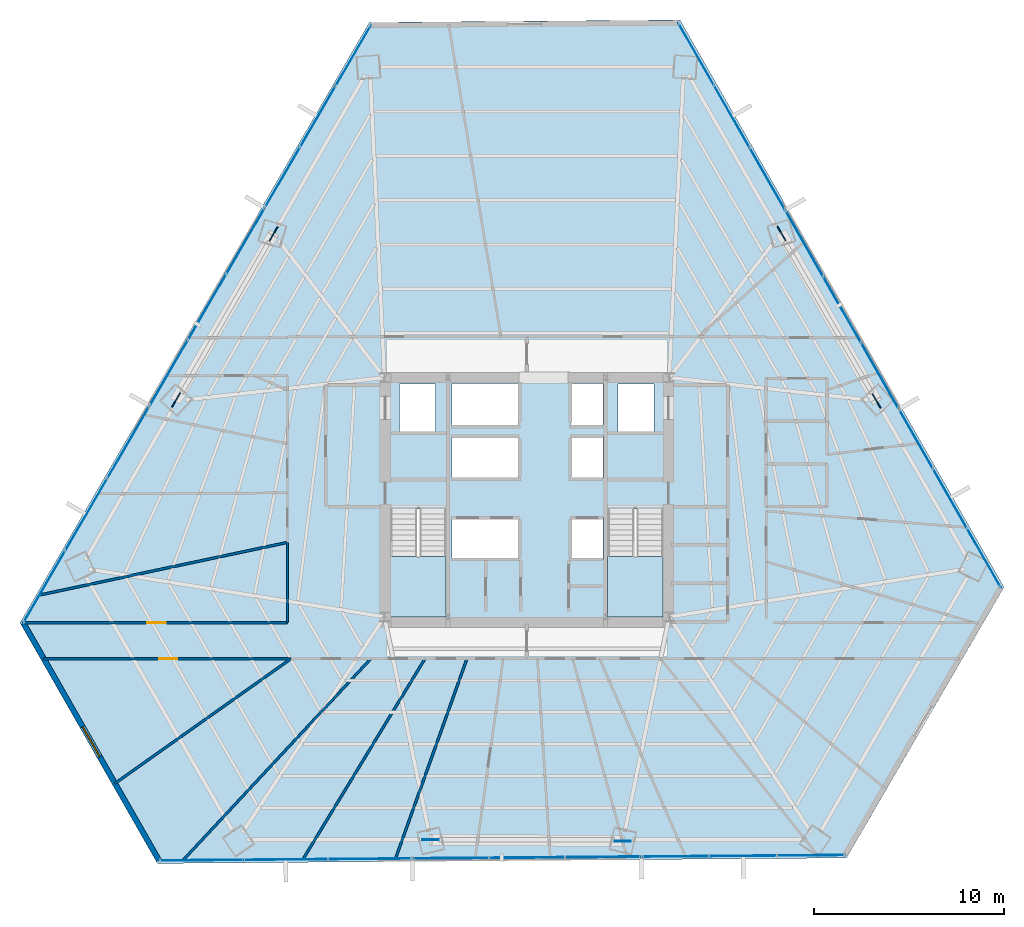
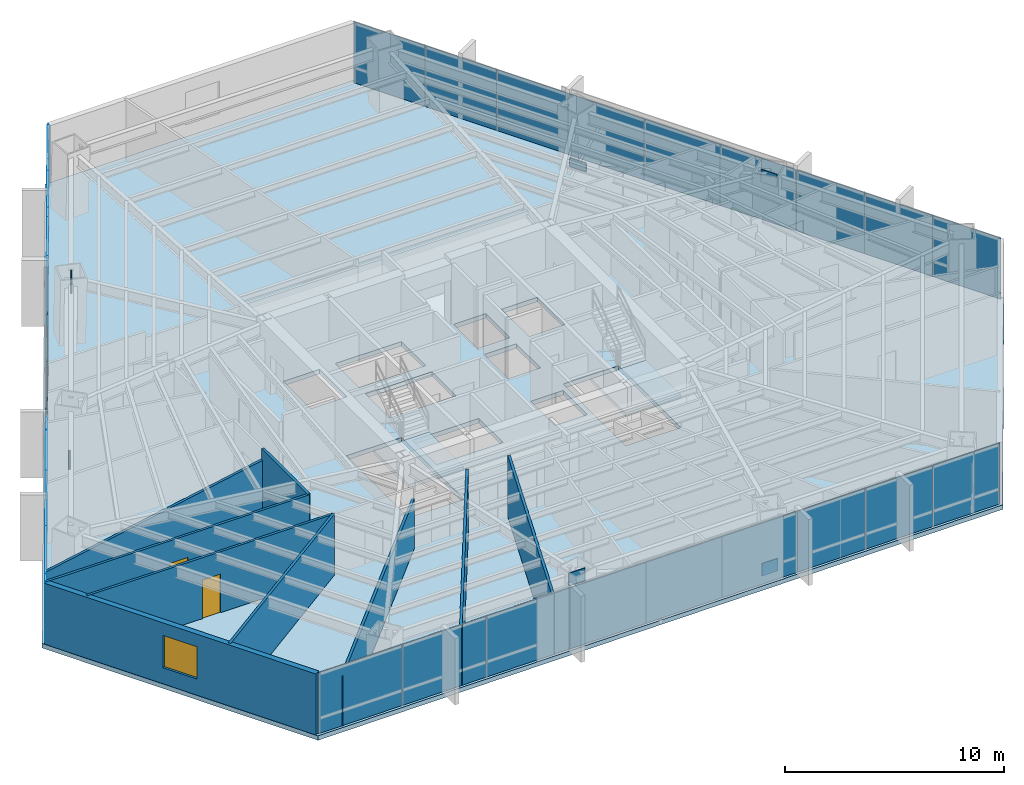
# One storey, part 31 of 38: 33 plates, 9 walls, 3 slabs, 2 doors, 1 window, 3 openings, 11 elements without a shape of their own.
"""IFC4 building model written with IfcOpenShell, lengths in metres."""

from ifc_helpers import new_model, si_unit, direction, frame, frame_2d, origin, origin_2d, place, context, subcontext, project, spatial, polyline, rectangle, outline, extrude, source, transform, mapped, material, layer, layer_set, type_object, type_shapes, element, fill, aggregate, save


model = new_model("IFC4")

# Units and contexts
model_context = context("Model", 3, precision=1e-05, world=origin(), true_north=direction((0.0, 1.0)))
body_context = subcontext(model_context, "Body", "Model", "MODEL_VIEW")
ifc_project = project(units=[si_unit("LENGTHUNIT", "METRE"), si_unit("AREAUNIT", "SQUARE_METRE"), si_unit("VOLUMEUNIT", "CUBIC_METRE"), si_unit("PLANEANGLEUNIT", "RADIAN"), si_unit("MASSUNIT", "GRAM", prefix="KILO")], contexts=[model_context])

# Site, building, storey
site_placement = place(None, origin())
site = spatial("IfcSite", under=ifc_project, at=site_placement, CompositionType="ELEMENT")
building_placement = place(site_placement, origin())
building = spatial("IfcBuilding", under=site, at=building_placement, Name="Caelisora Broadcast Tower", CompositionType="ELEMENT")
storey_placement = place(building_placement, frame((0.0, 0.0, 67.75)))
storey = spatial("IfcBuildingStorey", under=building, at=storey_placement, Name="L17", CompositionType="ELEMENT", Elevation=67.75)

# Slab
ifc_material_1 = material(Name="Concrete 40 MPa (AS 3600 N40)", Category="concrete")
ifc_layer_1 = layer(ifc_material_1, 0.25, Name="Concrete 40 MPa (AS 3600 N40)")
ifc_layer_set_1 = layer_set([ifc_layer_1], Name="Concrete 40 MPa (AS 3600 N40)")
slab_type_1 = type_object("IfcSlabType", Name="SL04", PredefinedType="FLOOR", material=ifc_layer_set_1)
slab_1_placement = place(storey_placement, frame((0.0, 0.0, -0.25)))
element("IfcSlab", 1, at=slab_1_placement, inside=storey, type_object=slab_type_1, Name="L17 suspended floor SL04", PredefinedType="FLOOR", context=body_context, shape_type="SweptSolid", body=[
    extrude(outline(polyline([(46.06591796875, 48.826904296875), (29.70703125, 48.696044921875), (11.31396484375, 17.0830078125), (18.549072265625, 4.4150390625), (54.8330078125, 4.7060546875), (63.1259765625, 18.9580078125), (46.06591796875, 48.826904296875)]), holes=[polyline([(30.820068359375, 17.39990234375), (33.739990234375, 17.39990234375), (33.739990234375, 23.080078125), (30.820068359375, 23.080078125), (30.820068359375, 17.39990234375)]), polyline([(42.260009765625, 17.39990234375), (45.179931640625, 17.39990234375), (45.179931640625, 23.080078125), (42.260009765625, 23.080078125), (42.260009765625, 17.39990234375)]), polyline([(42.800048828125, 27.14990234375), (44.699951171875, 27.14990234375), (44.699951171875, 29.64990234375), (42.800048828125, 29.64990234375), (42.800048828125, 27.14990234375)]), polyline([(40.300048828125, 20.429931640625), (42.0, 20.429931640625), (42.0, 22.6298828125), (40.300048828125, 22.6298828125), (40.300048828125, 20.429931640625)]), polyline([(40.300048828125, 24.719970703125), (42.0, 24.719970703125), (42.0, 26.919921875), (40.300048828125, 26.919921875), (40.300048828125, 24.719970703125)]), polyline([(40.300048828125, 27.5), (42.0, 27.5), (42.0, 29.699951171875), (40.300048828125, 29.699951171875), (40.300048828125, 27.5)]), polyline([(34.050048828125, 20.429931640625), (37.550048828125, 20.429931640625), (37.550048828125, 22.6298828125), (34.050048828125, 22.6298828125), (34.050048828125, 20.429931640625)]), polyline([(34.050048828125, 24.719970703125), (37.550048828125, 24.719970703125), (37.550048828125, 26.919921875), (34.050048828125, 26.919921875), (34.050048828125, 24.719970703125)]), polyline([(34.050048828125, 27.5), (37.550048828125, 27.5), (37.550048828125, 29.699951171875), (34.050048828125, 29.699951171875), (34.050048828125, 27.5)]), polyline([(31.300048828125, 27.14990234375), (33.199951171875, 27.14990234375), (33.199951171875, 29.64990234375), (31.300048828125, 29.64990234375), (31.300048828125, 27.14990234375)])]), origin(), (0.0, 0.0, 1.0), 0.25),
])

# Stair, slab
stair_type_1 = type_object("IfcStairType", Name="ST-1", PredefinedType="HALF_TURN_STAIR", material=ifc_material_1)
stair_1_placement = place(storey_placement, origin())
stair_1 = element("IfcStair", 2, at=stair_1_placement, inside=storey, type_object=stair_type_1, Name="L17 West Fire-Isolated Tower Stair", PredefinedType="HALF_TURN_STAIR")
ifc_layer_2 = layer(ifc_material_1, 0.199951171875, Name="Concrete 40 MPa (AS 3600 N40)")
ifc_layer_set_2 = layer_set([ifc_layer_2], Name="Concrete 40 MPa (AS 3600 N40)")
slab_type_2 = type_object("IfcSlabType", Name="STL-1", PredefinedType="LANDING", material=ifc_layer_set_2)
slab_2_placement = place(storey_placement, frame((0.0, 0.0, 1.625)))
slab_2 = element("IfcSlab", 3, at=slab_2_placement, type_object=slab_type_2, Name="ST-1 landing 1", PredefinedType="LANDING", context=body_context, shape_type="SweptSolid", body=[
    extrude(outline(polyline([(30.820068359375, 20.580078125), (30.820068359375, 17.39990234375), (33.739990234375, 17.39990234375), (33.739990234375, 20.580078125), (30.820068359375, 20.580078125)])), origin(), (0.0, 0.0, 1.0), 0.199951171875),
])
aggregate(stair_1, [slab_2])

stair_type_2 = type_object("IfcStairType", Name="ST-2", PredefinedType="HALF_TURN_STAIR", material=ifc_material_1)
stair_2_placement = place(storey_placement, origin())
stair_2 = element("IfcStair", 4, at=stair_2_placement, inside=storey, type_object=stair_type_2, Name="L17 East Fire-Isolated Tower Stair", PredefinedType="HALF_TURN_STAIR")
slab_3_placement = place(storey_placement, frame((0.0, 0.0, 1.625)))
slab_3 = element("IfcSlab", 5, at=slab_3_placement, type_object=slab_type_2, Name="ST-2 landing 1", PredefinedType="LANDING", context=body_context, shape_type="SweptSolid", body=[
    extrude(outline(polyline([(42.260009765625, 20.580078125), (42.260009765625, 17.39990234375), (45.179931640625, 17.39990234375), (45.179931640625, 20.580078125), (42.260009765625, 20.580078125)])), origin(), (0.0, 0.0, 1.0), 0.199951171875),
])
aggregate(stair_2, [slab_3])

# Plates
ifc_material_2 = material(Name="Steel Grade 350 L15 (AS/NZS 3678)", Category="steel")
ifc_layer_3 = layer(ifc_material_2, 0.050048828125, Name="Steel Grade 350 L15 (AS/NZS 3678)")
ifc_layer_set_3 = layer_set([ifc_layer_3], Name="Steel Grade 350 L15 (AS/NZS 3678)")
plate_type_1 = type_object("IfcPlateType", Name="GP03", PredefinedType="USERDEFINED", material=ifc_layer_set_3)
shared_shape_1 = source(origin(), body_context, "Body", "SweptSolid", [
    extrude(rectangle(XDim=0.85009765625, YDim=0.050048828125, at=origin_2d()), origin(), (0.0, 0.0, 1.0), 0.699951171875),
])
type_shapes(plate_type_1, [shared_shape_1])
for number, where, z_axis, x_axis, name in (
    (6, (24.66064453125, 37.560546875, 2.72998046875), (0.0, 0.0, 1.0), (-0.5, -0.866025403784, 0.0), "L17 gusset plate GP03 (ND-L17-C02T)"),
    (7, (19.5322265625, 28.822265625, -0.22998046875), (0.0, 0.0, 1.0), (-0.5, -0.866025403784, 0.0), "L17 gusset plate GP03 (ND-L17-C03B)"),
    (8, (32.92578125, 5.66748046875, 2.72998046875), (0.0, 0.0, 1.0), (1.0, 0.0, 0.0), "L17 gusset plate GP03 (ND-L17-C06T)"),
    (9, (43.0576171875, 5.59521484375, -0.22998046875), (0.0, 0.0, 1.0), (1.0, 0.0, 0.0), "L17 gusset plate GP03 (ND-L17-C07B)"),
    (10, (56.413330078125, 28.77197265625, 2.72998046875), (0.0, 0.0, 1.0), (-0.5, 0.866025403784, 0.0), "L17 gusset plate GP03 (ND-L17-C10T)"),
    (11, (51.41015625, 37.58251953125, -0.22998046875), (0.0, 0.0, 1.0), (-0.5, 0.866025403784, 0.0), "L17 gusset plate GP03 (ND-L17-C11B)"),
):
    element("IfcPlate", number, at=place(storey_placement, frame(where, z_axis=z_axis, x_axis=x_axis)), inside=storey, type_object=plate_type_1, Name=name, ObjectType="GUSSET PLATE", PredefinedType="USERDEFINED", context=body_context, shape_type="MappedRepresentation", body=[
        mapped(shared_shape_1, transform((0.0, 0.0, 0.0), scale=1.0)),
    ])

# Curtain wall, plates
ifc_material_3 = material(Name="Unitised Aluminium and Low-E Glass Curtain Wall", Category="glass")
curtain_wall_type_1 = type_object("IfcCurtainWallType", Name="CW-Z1", PredefinedType="NOTDEFINED", material=ifc_material_3)
curtain_wall_1_placement = place(storey_placement, origin())
curtain_wall_1 = element("IfcCurtainWall", 12, at=curtain_wall_1_placement, inside=storey, type_object=curtain_wall_type_1, Name="L17 curtain wall CW-Z1", PredefinedType="NOTDEFINED")
ifc_material_4 = material(Name="Double Glazed Low-E Argon IGU", Category="glass")
ifc_layer_4 = layer(ifc_material_4, 0.035888671875, Name="Double Glazed Low-E Argon IGU")
ifc_layer_set_4 = layer_set([ifc_layer_4], Name="Double Glazed Low-E Argon IGU")
plate_type_2 = type_object("IfcPlateType", Name="CWP-02", PredefinedType="CURTAIN_PANEL", material=ifc_layer_set_4)
shared_shape_2 = source(origin(), body_context, "Body", "SweptSolid", [
    extrude(rectangle(XDim=3.7822265625, YDim=0.035888671875, at=origin_2d()), origin(), (0.0, 0.0, 1.0), 3.39990234375),
])
plate_1_placement = place(storey_placement, frame((46.9169921875, 47.033935546875, 0.0), z_axis=(0.0, 0.0, 1.0), x_axis=(0.495913414893, -0.868371973828, 0.0)))
plate_1 = element("IfcPlate", 13, at=plate_1_placement, type_object=plate_type_2, Name="L17-CW-B01 glazed panel #1", PredefinedType="CURTAIN_PANEL", context=body_context, shape_type="MappedRepresentation", body=[
    mapped(shared_shape_2, transform((0.0, 0.0, 0.0), scale=1.0)),
])
plate_2_placement = place(storey_placement, frame((48.792724609375, 43.749755859375, 0.0), z_axis=(0.0, 0.0, 1.0), x_axis=(0.495913414893, -0.868371973828, 0.0)))
plate_2 = element("IfcPlate", 14, at=plate_2_placement, type_object=plate_type_2, Name="L17-CW-B01 glazed panel #2", PredefinedType="CURTAIN_PANEL", context=body_context, shape_type="MappedRepresentation", body=[
    mapped(shared_shape_2, transform((0.0, 0.0, 0.0), scale=1.0)),
])
plate_3_placement = place(storey_placement, frame((50.668701171875, 40.465576171875, 0.0), z_axis=(0.0, 0.0, 1.0), x_axis=(0.495913414893, -0.868371973828, 0.0)))
plate_3 = element("IfcPlate", 15, at=plate_3_placement, type_object=plate_type_2, Name="L17-CW-B01 glazed panel #3", PredefinedType="CURTAIN_PANEL", context=body_context, shape_type="MappedRepresentation", body=[
    mapped(shared_shape_2, transform((0.0, 0.0, 0.0), scale=1.0)),
])
aggregate(curtain_wall_1, [plate_1, plate_2, plate_3])

ifc_material_5 = material(Name="Unitised Aluminium Insulated Shadow-Box Spandrel Curtain Wall", Category="aluminium")
curtain_wall_type_2 = type_object("IfcCurtainWallType", Name="CW-SP1", PredefinedType="NOTDEFINED", material=ifc_material_5)
curtain_wall_2_placement = place(storey_placement, origin())
curtain_wall_2 = element("IfcCurtainWall", 16, at=curtain_wall_2_placement, inside=storey, type_object=curtain_wall_type_2, Name="L17 curtain wall CW-SP1", PredefinedType="NOTDEFINED")
ifc_material_6 = material(Name="Insulated Terracotta Shadow-Box Spandrel Panel", Category="aluminium")
ifc_layer_5 = layer(ifc_material_6, 0.0439453125, Name="Insulated Terracotta Shadow-Box Spandrel Panel")
ifc_layer_set_5 = layer_set([ifc_layer_5], Name="Insulated Terracotta Shadow-Box Spandrel Panel")
plate_type_3 = type_object("IfcPlateType", Name="CWP-10", PredefinedType="CURTAIN_PANEL", material=ifc_layer_set_5)
shared_shape_3 = source(origin(), body_context, "Body", "SweptSolid", [
    extrude(rectangle(XDim=4.018310546875, YDim=0.0439453125, at=origin_2d()), origin(), (0.0, 0.0, 1.0), 3.39990234375),
])
type_shapes(plate_type_3, [shared_shape_3])
plate_4_placement = place(storey_placement, frame((52.608154296875, 37.070068359375, 0.0), z_axis=(0.0, 0.0, 1.0), x_axis=(0.495913414893, -0.868371973828, 0.0)))
plate_4 = element("IfcPlate", 17, at=plate_4_placement, type_object=plate_type_3, Name="L17-CW-B02 spandrel panel #1", PredefinedType="CURTAIN_PANEL", context=body_context, shape_type="MappedRepresentation", body=[
    mapped(shared_shape_3, transform((0.0, 0.0, 0.0), scale=1.0)),
])
plate_5_placement = place(storey_placement, frame((54.601318359375, 33.580810546875, 0.0), z_axis=(0.0, 0.0, 1.0), x_axis=(0.495913414893, -0.868371973828, 0.0)))
plate_5 = element("IfcPlate", 18, at=plate_5_placement, type_object=plate_type_3, Name="L17-CW-B02 spandrel panel #2", PredefinedType="CURTAIN_PANEL", context=body_context, shape_type="MappedRepresentation", body=[
    mapped(shared_shape_3, transform((0.0, 0.0, 0.0), scale=1.0)),
])
plate_6_placement = place(storey_placement, frame((56.59423828125, 30.09130859375, 0.0), z_axis=(0.0, 0.0, 1.0), x_axis=(0.495913414893, -0.868371973828, 0.0)))
plate_6 = element("IfcPlate", 19, at=plate_6_placement, type_object=plate_type_3, Name="L17-CW-B02 spandrel panel #3", PredefinedType="CURTAIN_PANEL", context=body_context, shape_type="MappedRepresentation", body=[
    mapped(shared_shape_3, transform((0.0, 0.0, 0.0), scale=1.0)),
])
aggregate(curtain_wall_2, [plate_4, plate_5, plate_6])

curtain_wall_3_placement = place(storey_placement, origin())
curtain_wall_3 = element("IfcCurtainWall", 20, at=curtain_wall_3_placement, inside=storey, type_object=curtain_wall_type_2, Name="L17 curtain wall CW-SP1", PredefinedType="NOTDEFINED")
plate_7_placement = place(storey_placement, frame((42.025146484375, 4.753173828125, 0.0), z_axis=(0.0, 0.0, 1.0), x_axis=(-0.99996777165, -0.00802842831, 0.0)))
plate_7 = element("IfcPlate", 21, at=plate_7_placement, type_object=plate_type_3, Name="L17-CW-B06 spandrel panel #1", PredefinedType="CURTAIN_PANEL", context=body_context, shape_type="MappedRepresentation", body=[
    mapped(shared_shape_3, transform((0.0, 0.0, 0.0), scale=1.0)),
])
plate_8_placement = place(storey_placement, frame((38.007080078125, 4.720947265625, 0.0), z_axis=(0.0, 0.0, 1.0), x_axis=(-0.99996777165, -0.00802842831, 0.0)))
plate_8 = element("IfcPlate", 22, at=plate_8_placement, type_object=plate_type_3, Name="L17-CW-B06 spandrel panel #2", PredefinedType="CURTAIN_PANEL", context=body_context, shape_type="MappedRepresentation", body=[
    mapped(shared_shape_3, transform((0.0, 0.0, 0.0), scale=1.0)),
])
plate_9_placement = place(storey_placement, frame((33.98876953125, 4.68896484375, 0.0), z_axis=(0.0, 0.0, 1.0), x_axis=(-0.99996777165, -0.00802842831, 0.0)))
plate_9 = element("IfcPlate", 23, at=plate_9_placement, type_object=plate_type_3, Name="L17-CW-B06 spandrel panel #3", PredefinedType="CURTAIN_PANEL", context=body_context, shape_type="MappedRepresentation", body=[
    mapped(shared_shape_3, transform((0.0, 0.0, 0.0), scale=1.0)),
])
aggregate(curtain_wall_3, [plate_7, plate_8, plate_9])

curtain_wall_4_placement = place(storey_placement, origin())
curtain_wall_4 = element("IfcCurtainWall", 24, at=curtain_wall_4_placement, inside=storey, type_object=curtain_wall_type_2, Name="L17 curtain wall CW-SP1", PredefinedType="NOTDEFINED")
plate_10_placement = place(storey_placement, frame((19.1474609375, 30.248291015625, 0.0), z_axis=(0.0, 0.0, 1.0), x_axis=(0.50286909456, 0.864362582332, 0.0)))
plate_10 = element("IfcPlate", 25, at=plate_10_placement, type_object=plate_type_3, Name="L17-CW-B10 spandrel panel #1", PredefinedType="CURTAIN_PANEL", context=body_context, shape_type="MappedRepresentation", body=[
    mapped(shared_shape_3, transform((0.0, 0.0, 0.0), scale=1.0)),
])
plate_11_placement = place(storey_placement, frame((21.16845703125, 33.7216796875, 0.0), z_axis=(0.0, 0.0, 1.0), x_axis=(0.50286909456, 0.864362582332, 0.0)))
plate_11 = element("IfcPlate", 26, at=plate_11_placement, type_object=plate_type_3, Name="L17-CW-B10 spandrel panel #2", PredefinedType="CURTAIN_PANEL", context=body_context, shape_type="MappedRepresentation", body=[
    mapped(shared_shape_3, transform((0.0, 0.0, 0.0), scale=1.0)),
])
plate_12_placement = place(storey_placement, frame((23.189208984375, 37.195068359375, 0.0), z_axis=(0.0, 0.0, 1.0), x_axis=(0.50286909456, 0.864362582332, 0.0)))
plate_12 = element("IfcPlate", 27, at=plate_12_placement, type_object=plate_type_3, Name="L17-CW-B10 spandrel panel #3", PredefinedType="CURTAIN_PANEL", context=body_context, shape_type="MappedRepresentation", body=[
    mapped(shared_shape_3, transform((0.0, 0.0, 0.0), scale=1.0)),
])
aggregate(curtain_wall_4, [plate_10, plate_11, plate_12])

curtain_wall_5_placement = place(storey_placement, origin())
curtain_wall_5 = element("IfcCurtainWall", 28, at=curtain_wall_5_placement, inside=storey, type_object=curtain_wall_type_1, Name="L17 curtain wall CW-Z1", PredefinedType="NOTDEFINED")
shared_shape_4 = source(origin(), body_context, "Body", "SweptSolid", [
    extrude(rectangle(XDim=3.600341796875, YDim=0.035888671875, at=origin_2d()), origin(), (0.0, 0.0, 1.0), 3.39990234375),
])
plate_13_placement = place(storey_placement, frame((58.48876953125, 26.77490234375, 0.0), z_axis=(0.0, 0.0, 1.0), x_axis=(0.495913414893, -0.868371973828, 0.0)))
plate_13 = element("IfcPlate", 29, at=plate_13_placement, type_object=plate_type_2, Name="L17-CW-B03 glazed panel #1", PredefinedType="CURTAIN_PANEL", context=body_context, shape_type="MappedRepresentation", body=[
    mapped(shared_shape_4, transform((0.0, 0.0, 0.0), scale=1.0)),
])
plate_14_placement = place(storey_placement, frame((60.2744140625, 23.6484375, 0.0), z_axis=(0.0, 0.0, 1.0), x_axis=(0.495913414893, -0.868371973828, 0.0)))
plate_14 = element("IfcPlate", 30, at=plate_14_placement, type_object=plate_type_2, Name="L17-CW-B03 glazed panel #2", PredefinedType="CURTAIN_PANEL", context=body_context, shape_type="MappedRepresentation", body=[
    mapped(shared_shape_4, transform((0.0, 0.0, 0.0), scale=1.0)),
])
plate_15_placement = place(storey_placement, frame((62.06005859375, 20.522216796875, 0.0), z_axis=(0.0, 0.0, 1.0), x_axis=(0.495913414893, -0.868371973828, 0.0)))
plate_15 = element("IfcPlate", 31, at=plate_15_placement, type_object=plate_type_2, Name="L17-CW-B03 glazed panel #3", PredefinedType="CURTAIN_PANEL", context=body_context, shape_type="MappedRepresentation", body=[
    mapped(shared_shape_4, transform((0.0, 0.0, 0.0), scale=1.0)),
])
aggregate(curtain_wall_5, [plate_13, plate_14, plate_15])

curtain_wall_6_placement = place(storey_placement, origin())
curtain_wall_6 = element("IfcCurtainWall", 32, at=curtain_wall_6_placement, inside=storey, type_object=curtain_wall_type_1, Name="L17 curtain wall CW-Z1", PredefinedType="NOTDEFINED")
shared_shape_5 = source(origin(), body_context, "Body", "SweptSolid", [
    extrude(rectangle(XDim=3.5673828125, YDim=0.035888671875, at=origin_2d()), origin(), (0.0, 0.0, 1.0), 3.39990234375),
])
plate_16_placement = place(storey_placement, frame((52.96240234375, 4.8408203125, 0.0), z_axis=(0.0, 0.0, 1.0), x_axis=(-0.99996777165, -0.00802842831, 0.0)))
plate_16 = element("IfcPlate", 33, at=plate_16_placement, type_object=plate_type_2, Name="L17-CW-B05 glazed panel #1", PredefinedType="CURTAIN_PANEL", context=body_context, shape_type="MappedRepresentation", body=[
    mapped(shared_shape_5, transform((0.0, 0.0, 0.0), scale=1.0)),
])
plate_17_placement = place(storey_placement, frame((49.395263671875, 4.812255859375, 0.0), z_axis=(0.0, 0.0, 1.0), x_axis=(-0.99996777165, -0.00802842831, 0.0)))
plate_17 = element("IfcPlate", 34, at=plate_17_placement, type_object=plate_type_2, Name="L17-CW-B05 glazed panel #2", PredefinedType="CURTAIN_PANEL", context=body_context, shape_type="MappedRepresentation", body=[
    mapped(shared_shape_5, transform((0.0, 0.0, 0.0), scale=1.0)),
])
plate_18_placement = place(storey_placement, frame((45.827880859375, 4.78369140625, 0.0), z_axis=(0.0, 0.0, 1.0), x_axis=(-0.99996777165, -0.00802842831, 0.0)))
plate_18 = element("IfcPlate", 35, at=plate_18_placement, type_object=plate_type_2, Name="L17-CW-B05 glazed panel #3", PredefinedType="CURTAIN_PANEL", context=body_context, shape_type="MappedRepresentation", body=[
    mapped(shared_shape_5, transform((0.0, 0.0, 0.0), scale=1.0)),
])
aggregate(curtain_wall_6, [plate_16, plate_17, plate_18])

curtain_wall_7_placement = place(storey_placement, origin())
curtain_wall_7 = element("IfcCurtainWall", 36, at=curtain_wall_7_placement, inside=storey, type_object=curtain_wall_type_1, Name="L17 curtain wall CW-Z1", PredefinedType="NOTDEFINED")
shared_shape_6 = source(origin(), body_context, "Body", "SweptSolid", [
    extrude(rectangle(XDim=4.444580078125, YDim=0.035888671875, at=origin_2d()), origin(), (0.0, 0.0, 1.0), 3.39990234375),
])
plate_19_placement = place(storey_placement, frame((29.747314453125, 4.65478515625, 0.0), z_axis=(0.0, 0.0, 1.0), x_axis=(-0.99996777165, -0.00802842831, 0.0)))
plate_19 = element("IfcPlate", 37, at=plate_19_placement, type_object=plate_type_2, Name="L17-CW-B07 glazed panel #1", PredefinedType="CURTAIN_PANEL", context=body_context, shape_type="MappedRepresentation", body=[
    mapped(shared_shape_6, transform((0.0, 0.0, 0.0), scale=1.0)),
])
plate_20_placement = place(storey_placement, frame((25.302734375, 4.619384765625, 0.0), z_axis=(0.0, 0.0, 1.0), x_axis=(-0.99996777165, -0.00802842831, 0.0)))
plate_20 = element("IfcPlate", 38, at=plate_20_placement, type_object=plate_type_2, Name="L17-CW-B07 glazed panel #2", PredefinedType="CURTAIN_PANEL", context=body_context, shape_type="MappedRepresentation", body=[
    mapped(shared_shape_6, transform((0.0, 0.0, 0.0), scale=1.0)),
])
plate_21_placement = place(storey_placement, frame((20.8583984375, 4.583740234375, 0.0), z_axis=(0.0, 0.0, 1.0), x_axis=(-0.99996777165, -0.00802842831, 0.0)))
plate_21 = element("IfcPlate", 39, at=plate_21_placement, type_object=plate_type_2, Name="L17-CW-B07 glazed panel #3", PredefinedType="CURTAIN_PANEL", context=body_context, shape_type="MappedRepresentation", body=[
    mapped(shared_shape_6, transform((0.0, 0.0, 0.0), scale=1.0)),
])
aggregate(curtain_wall_7, [plate_19, plate_20, plate_21])

curtain_wall_8_placement = place(storey_placement, origin())
curtain_wall_8 = element("IfcCurtainWall", 40, at=curtain_wall_8_placement, inside=storey, type_object=curtain_wall_type_1, Name="L17 curtain wall CW-Z1", PredefinedType="NOTDEFINED")
shared_shape_7 = source(origin(), body_context, "Body", "SweptSolid", [
    extrude(rectangle(XDim=4.404541015625, YDim=0.035888671875, at=origin_2d()), origin(), (0.0, 0.0, 1.0), 3.39990234375),
])
plate_22_placement = place(storey_placement, frame((12.594482421875, 18.985595703125, 0.0), z_axis=(0.0, 0.0, 1.0), x_axis=(0.50286909456, 0.864362582332, 0.0)))
plate_22 = element("IfcPlate", 41, at=plate_22_placement, type_object=plate_type_2, Name="L17-CW-B09 glazed panel #1", PredefinedType="CURTAIN_PANEL", context=body_context, shape_type="MappedRepresentation", body=[
    mapped(shared_shape_7, transform((0.0, 0.0, 0.0), scale=1.0)),
])
plate_23_placement = place(storey_placement, frame((14.8095703125, 22.79248046875, 0.0), z_axis=(0.0, 0.0, 1.0), x_axis=(0.50286909456, 0.864362582332, 0.0)))
plate_23 = element("IfcPlate", 42, at=plate_23_placement, type_object=plate_type_2, Name="L17-CW-B09 glazed panel #2", PredefinedType="CURTAIN_PANEL", context=body_context, shape_type="MappedRepresentation", body=[
    mapped(shared_shape_7, transform((0.0, 0.0, 0.0), scale=1.0)),
])
plate_24_placement = place(storey_placement, frame((17.0244140625, 26.599609375, 0.0), z_axis=(0.0, 0.0, 1.0), x_axis=(0.50286909456, 0.864362582332, 0.0)))
plate_24 = element("IfcPlate", 43, at=plate_24_placement, type_object=plate_type_2, Name="L17-CW-B09 glazed panel #3", PredefinedType="CURTAIN_PANEL", context=body_context, shape_type="MappedRepresentation", body=[
    mapped(shared_shape_7, transform((0.0, 0.0, 0.0), scale=1.0)),
])
aggregate(curtain_wall_8, [plate_22, plate_23, plate_24])

curtain_wall_9_placement = place(storey_placement, origin())
curtain_wall_9 = element("IfcCurtainWall", 44, at=curtain_wall_9_placement, inside=storey, type_object=curtain_wall_type_1, Name="L17 curtain wall CW-Z1", PredefinedType="NOTDEFINED")
shared_shape_8 = source(origin(), body_context, "Body", "SweptSolid", [
    extrude(rectangle(XDim=3.704833984375, YDim=0.035888671875, at=origin_2d()), origin(), (0.0, 0.0, 1.0), 3.39990234375),
])
type_shapes(plate_type_2, [shared_shape_2, shared_shape_4, shared_shape_5, shared_shape_6, shared_shape_7, shared_shape_8])
plate_25_placement = place(storey_placement, frame((25.13623046875, 40.54150390625, 0.0), z_axis=(0.0, 0.0, 1.0), x_axis=(0.50286909456, 0.864362582332, 0.0)))
plate_25 = element("IfcPlate", 45, at=plate_25_placement, type_object=plate_type_2, Name="L17-CW-B11 glazed panel #1", PredefinedType="CURTAIN_PANEL", context=body_context, shape_type="MappedRepresentation", body=[
    mapped(shared_shape_8, transform((0.0, 0.0, 0.0), scale=1.0)),
])
plate_26_placement = place(storey_placement, frame((26.999267578125, 43.74365234375, 0.0), z_axis=(0.0, 0.0, 1.0), x_axis=(0.50286909456, 0.864362582332, 0.0)))
plate_26 = element("IfcPlate", 46, at=plate_26_placement, type_object=plate_type_2, Name="L17-CW-B11 glazed panel #2", PredefinedType="CURTAIN_PANEL", context=body_context, shape_type="MappedRepresentation", body=[
    mapped(shared_shape_8, transform((0.0, 0.0, 0.0), scale=1.0)),
])
plate_27_placement = place(storey_placement, frame((28.8623046875, 46.94580078125, 0.0), z_axis=(0.0, 0.0, 1.0), x_axis=(0.50286909456, 0.864362582332, 0.0)))
plate_27 = element("IfcPlate", 47, at=plate_27_placement, type_object=plate_type_2, Name="L17-CW-B11 glazed panel #3", PredefinedType="CURTAIN_PANEL", context=body_context, shape_type="MappedRepresentation", body=[
    mapped(shared_shape_8, transform((0.0, 0.0, 0.0), scale=1.0)),
])
aggregate(curtain_wall_9, [plate_25, plate_26, plate_27])

# Wall, opening, window
ifc_material_7 = material(Name="Insulated Terracotta Spandrel Wall System", Category="masonry")
ifc_layer_6 = layer(ifc_material_7, 0.280029296875, Name="Insulated Terracotta Spandrel Wall System")
ifc_layer_set_6 = layer_set([ifc_layer_6], Name="Insulated Terracotta Spandrel Wall System")
wall_type_1 = type_object("IfcWallType", Name="EW1", PredefinedType="STANDARD", material=ifc_layer_set_6)
wall_1_placement = place(storey_placement, frame((18.62109375, 4.592041015625, 0.0), z_axis=(0.0, 0.0, 1.0), x_axis=(-0.49597773835, 0.868335236565, 0.0)))
wall_1 = element("IfcWall", 48, at=wall_1_placement, inside=storey, type_object=wall_type_1, Name="L17 exterior envelope wall EW1", PredefinedType="STANDARD", context=body_context, shape_type="SweptSolid", body=[
    extrude(rectangle(XDim=14.353759765625, YDim=0.280029296875, at=frame_2d((7.1767578125, 0.0))), origin(), (0.0, 0.0, 1.0), 3.39990234375),
])
opening_1_placement = place(wall_1_placement, frame((6.280029296875, 0.0, 0.89990234375)))
opening_1 = element("IfcOpeningElement", 49, at=opening_1_placement, cuts=wall_1, Name="Opening W01", PredefinedType="OPENING", context=body_context, shape_type="SweptSolid", body=[
    extrude(rectangle(XDim=1.800048828125, YDim=1.800048828125, at=frame_2d((0.89990234375, 0.89990234375))), frame((0.0, 0.152099609375, 0.0), z_axis=(0.0, -1.0, 0.0), x_axis=(1.0, 0.0, 0.0)), (0.0, 0.0, 1.0), 0.303955078125),
])
ifc_material_8 = material(Name="Double Glazed Terracotta-Framed Vision Window", Category="glass")
window_type = type_object("IfcWindowType", Name="W01", PartitioningType="SINGLE_PANEL", PredefinedType="WINDOW", material=ifc_material_8)
window_placement = place(opening_1_placement, origin())
window = element("IfcWindow", 50, at=window_placement, inside=storey, type_object=window_type, Name="L17 window W01 (L17-WN-CH4)", OverallHeight=1.800048828125, OverallWidth=1.800048828125, PartitioningType="SINGLE_PANEL", PredefinedType="WINDOW", context=body_context, shape_type="SweptSolid", body=[
    extrude(rectangle(XDim=1.800048828125, YDim=1.800048828125, at=frame_2d((0.89990234375, 0.89990234375))), frame((0.0, 0.030029296875, 0.0), z_axis=(0.0, -1.0, 0.0), x_axis=(1.0, 0.0, 0.0)), (0.0, 0.0, 1.0), 0.06005859375),
])
fill(opening_1, window)

# Wall
ifc_material_9 = material(Name="Acoustic Steel-Stud Plasterboard Partition", Category="gypsum")
ifc_layer_7 = layer(ifc_material_9, 0.1298828125, Name="Acoustic Steel-Stud Plasterboard Partition")
ifc_layer_set_7 = layer_set([ifc_layer_7], Name="Acoustic Steel-Stud Plasterboard Partition")
wall_type_2 = type_object("IfcWallType", Name="PW3", PredefinedType="PARTITIONING", material=ifc_layer_set_7)
wall_2_placement = place(storey_placement, frame((19.8837890625, 4.57080078125, 0.0), z_axis=(0.0, 0.0, 1.0), x_axis=(0.681818628138, 0.73152126307, 0.0)))
element("IfcWall", 51, at=wall_2_placement, inside=storey, type_object=wall_type_2, Name="L17 internal partition PW3", PredefinedType="PARTITIONING", context=body_context, shape_type="SweptSolid", body=[
    extrude(rectangle(XDim=14.52490234375, YDim=0.1298828125, at=frame_2d((7.262451171875, 0.0))), origin(), (0.0, 0.0, 1.0), 2.78271484375),
])

# Wall, opening, door
wall_3_placement = place(storey_placement, frame((11.49169921875, 17.10009765625, 0.0), z_axis=(0.0, 0.0, 1.0), x_axis=(1.0, 0.0, 0.0)))
wall_3 = element("IfcWall", 52, at=wall_3_placement, inside=storey, type_object=wall_type_2, Name="L17 internal partition PW3", PredefinedType="PARTITIONING", context=body_context, shape_type="SweptSolid", body=[
    extrude(rectangle(XDim=13.9033203125, YDim=0.1298828125, at=frame_2d((6.95166015625, 0.0))), origin(), (0.0, 0.0, 1.0), 3.39990234375),
])
opening_2_placement = place(wall_3_placement, frame((6.527099609375, 0.0, 0.0)))
opening_2 = element("IfcOpeningElement", 53, at=opening_2_placement, cuts=wall_3, Name="Opening D01", PredefinedType="OPENING", context=body_context, shape_type="SweptSolid", body=[
    extrude(rectangle(XDim=0.9599609375, YDim=2.14990234375, at=frame_2d((0.47998046875, 1.074951171875))), frame((0.0, 0.076904296875, 0.0), z_axis=(0.0, -1.0, 0.0), x_axis=(1.0, 0.0, 0.0)), (0.0, 0.0, 1.0), 0.15380859375),
])
ifc_material_10 = material(Name="Solid-Core Timber Acoustic Office Door", Category="wood")
door_type = type_object("IfcDoorType", Name="D01", OperationType="NOTDEFINED", PredefinedType="DOOR", material=ifc_material_10)
door_1_placement = place(opening_2_placement, origin())
door_1 = element("IfcDoor", 54, at=door_1_placement, inside=storey, type_object=door_type, Name="L17 door D01 (L17-DR-P33D1)", OperationType="SINGLE_SWING_LEFT", OverallHeight=2.14990234375, OverallWidth=0.9599609375, PredefinedType="DOOR", context=body_context, shape_type="SweptSolid", body=[
    extrude(rectangle(XDim=0.9599609375, YDim=2.14990234375, at=frame_2d((0.47998046875, 1.074951171875))), frame((0.0, 0.02490234375, 0.0), z_axis=(0.0, -1.0, 0.0), x_axis=(1.0, 0.0, 0.0)), (0.0, 0.0, 1.0), 0.050048828125),
])
fill(opening_2, door_1)

# Wall
wall_4_placement = place(storey_placement, frame((12.3330078125, 18.546142578125, 0.0), z_axis=(0.0, 0.0, 1.0), x_axis=(0.978200372967, 0.207663261862, 0.0)))
element("IfcWall", 55, at=wall_4_placement, inside=storey, type_object=wall_type_2, Name="L17 internal partition PW3", PredefinedType="PARTITIONING", context=body_context, shape_type="SweptSolid", body=[
    extrude(rectangle(XDim=13.35302734375, YDim=0.1298828125, at=frame_2d((6.676513671875, 0.0))), origin(), (0.0, 0.0, 1.0), 2.78271484375),
])

# Wall, opening, door
wall_5_placement = place(storey_placement, frame((12.556396484375, 15.199951171875, 0.0), z_axis=(0.0, 0.0, 1.0), x_axis=(1.0, 0.0, 0.0)))
wall_5 = element("IfcWall", 56, at=wall_5_placement, inside=storey, type_object=wall_type_2, Name="L17 internal partition PW3", PredefinedType="PARTITIONING", context=body_context, shape_type="SweptSolid", body=[
    extrude(rectangle(XDim=13.028564453125, YDim=0.1298828125, at=frame_2d((6.51416015625, 0.0))), origin(), (0.0, 0.0, 1.0), 3.39990234375),
])
opening_3_placement = place(wall_5_placement, frame((6.087890625, 0.0, 0.0)))
opening_3 = element("IfcOpeningElement", 57, at=opening_3_placement, cuts=wall_5, Name="Opening D01", PredefinedType="OPENING", context=body_context, shape_type="SweptSolid", body=[
    extrude(rectangle(XDim=0.9599609375, YDim=2.14990234375, at=frame_2d((0.47998046875, 1.074951171875))), frame((0.0, 0.076904296875, 0.0), z_axis=(0.0, -1.0, 0.0), x_axis=(1.0, 0.0, 0.0)), (0.0, 0.0, 1.0), 0.15380859375),
])
door_2_placement = place(opening_3_placement, origin())
door_2 = element("IfcDoor", 58, at=door_2_placement, inside=storey, type_object=door_type, Name="L17 door D01 (L17-DR-P36D1)", OperationType="SINGLE_SWING_RIGHT", OverallHeight=2.14990234375, OverallWidth=0.9599609375, PredefinedType="DOOR", context=body_context, shape_type="SweptSolid", body=[
    extrude(rectangle(XDim=0.9599609375, YDim=2.14990234375, at=frame_2d((0.47998046875, 1.074951171875))), frame((0.0, 0.02490234375, 0.0), z_axis=(0.0, -1.0, 0.0), x_axis=(1.0, 0.0, 0.0)), (0.0, 0.0, 1.0), 0.050048828125),
])
fill(opening_3, door_2)

# Walls
wall_6_placement = place(storey_placement, frame((26.20556640625, 4.621337890625, 0.0), z_axis=(0.0, 0.0, 1.0), x_axis=(0.519629642882, 0.854391616437, 0.0)))
element("IfcWall", 59, at=wall_6_placement, inside=storey, type_object=wall_type_2, Name="L17 internal partition PW3", PredefinedType="PARTITIONING", context=body_context, shape_type="SweptSolid", body=[
    extrude(rectangle(XDim=12.376953125, YDim=0.1298828125, at=frame_2d((6.1884765625, 0.0))), origin(), (0.0, 0.0, 1.0), 3.39990234375),
])
wall_7_placement = place(storey_placement, frame((16.310302734375, 8.626953125, 0.0), z_axis=(0.0, 0.0, 1.0), x_axis=(0.816031657084, 0.578007209849, 0.0)))
element("IfcWall", 60, at=wall_7_placement, inside=storey, type_object=wall_type_2, Name="L17 internal partition PW3", PredefinedType="PARTITIONING", context=body_context, shape_type="SweptSolid", body=[
    extrude(rectangle(XDim=11.36669921875, YDim=0.1298828125, at=frame_2d((5.683349609375, 0.0))), origin(), (0.0, 0.0, 1.0), 3.39990234375),
])
wall_8_placement = place(storey_placement, frame((31.08251953125, 4.660400390625, 0.0), z_axis=(0.0, 0.0, 1.0), x_axis=(0.336574166719, 0.94165695999, 0.0)))
element("IfcWall", 61, at=wall_8_placement, inside=storey, type_object=wall_type_2, Name="L17 internal partition PW3", PredefinedType="PARTITIONING", context=body_context, shape_type="SweptSolid", body=[
    extrude(rectangle(XDim=11.187255859375, YDim=0.1298828125, at=frame_2d((5.59375, 0.0))), origin(), (0.0, 0.0, 1.0), 3.39990234375),
])
wall_9_placement = place(storey_placement, frame((25.39990234375, 17.10498046875, 0.0), z_axis=(0.0, 0.0, 1.0), x_axis=(0.0, 1.0, 0.0)))
element("IfcWall", 62, at=wall_9_placement, inside=storey, type_object=wall_type_2, Name="L17 internal partition PW3", PredefinedType="PARTITIONING", context=body_context, shape_type="SweptSolid", body=[
    extrude(rectangle(XDim=4.2099609375, YDim=0.1298828125, at=frame_2d((2.10498046875, 0.0))), origin(), (0.0, 0.0, 1.0), 3.39990234375),
])

save(model, "model.ifc")
